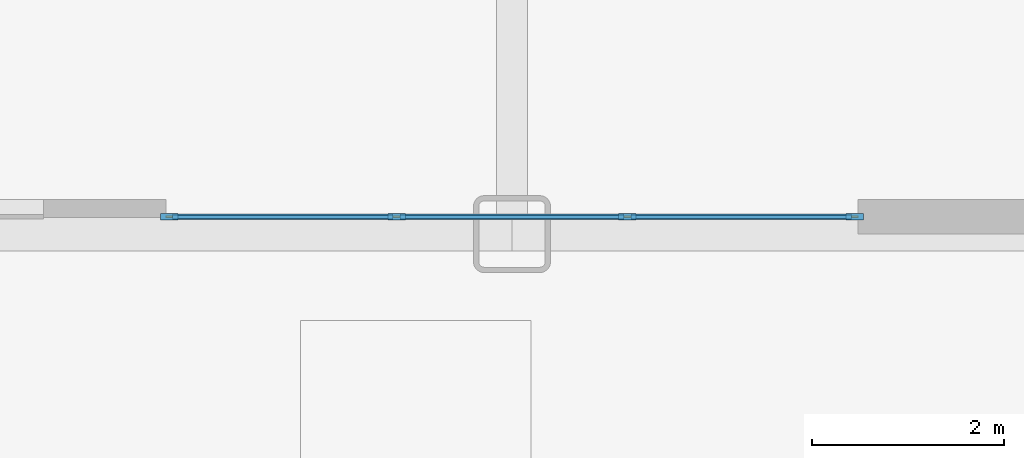
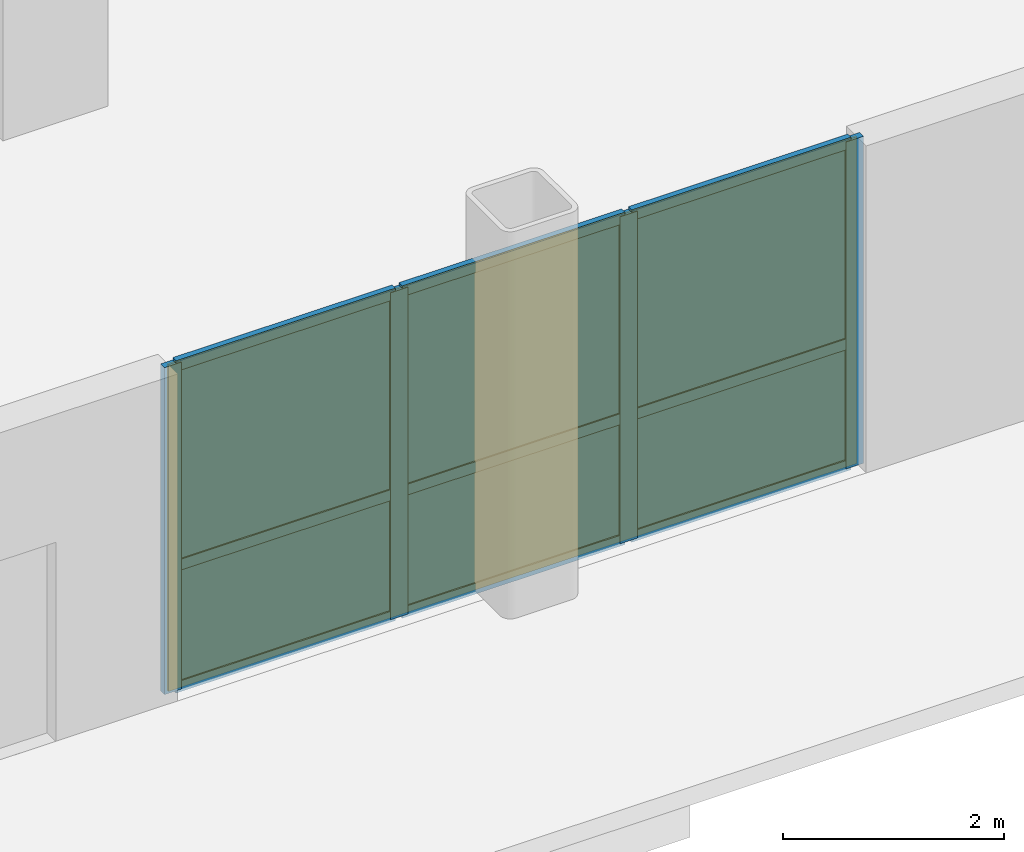
# One storey, part 13 of 20: 13 members, 6 plates, 1 curtain wall.
"""IFC4 building model written with IfcOpenShell, lengths in metres."""

from ifc_helpers import new_model, si_unit, direction, frame, frame_2d, origin, origin_2d, place, context, subcontext, project, spatial, rectangle, extrude, source, transform, mapped, material, layer, layer_set, material_profile, profile_set, type_object, type_shapes, element, aggregate, save


model = new_model("IFC4")

# Units and contexts
model_context = context("Model", 3, precision=1e-05, world=origin(), true_north=direction((0.0, 1.0)))
body_context = subcontext(model_context, "Body", "Model", "MODEL_VIEW")
ifc_project = project(units=[si_unit("LENGTHUNIT", "METRE"), si_unit("AREAUNIT", "SQUARE_METRE"), si_unit("VOLUMEUNIT", "CUBIC_METRE"), si_unit("PLANEANGLEUNIT", "RADIAN"), si_unit("MASSUNIT", "GRAM", prefix="KILO")], contexts=[model_context])

# Member
ifc_material_1 = material(Name="Anodised aluminium 6063-T6", Category="aluminium")
ifc_material_profile_1 = material_profile(ifc_material_1, rectangle(XDim=0.070068359375, YDim=0.179931640625, at=origin_2d()), Name="ALU-MULL-70x180")
ifc_profile_set_1 = profile_set([ifc_material_profile_1], Name="Anodised aluminium 6063-T6")
member_type_1 = type_object("IfcMemberType", Name="CWM-1", PredefinedType="MULLION", material=ifc_profile_set_1)
site_placement = place(None, origin())
building_placement = place(site_placement, origin())
storey_placement = place(building_placement, origin())
member_1_placement = place(storey_placement, frame((-22.56494140625, -25.820068359375, 0.0), z_axis=(0.0, 0.0, 1.0), x_axis=(0.0, 1.0, 0.0)))
member_1 = element("IfcMember", 1, at=member_1_placement, type_object=member_type_1, Name="CWS-1 mullion 1", PredefinedType="MULLION", context=body_context, shape_type="SweptSolid", body=[
    extrude(rectangle(XDim=0.070068359375, YDim=0.179931640625, at=origin_2d()), origin(), (0.0, 0.0, 1.0), 3.614990234375),
])

member_2_placement = place(storey_placement, frame((-20.199951171875, -25.820068359375, 0.0), z_axis=(0.0, 0.0, 1.0), x_axis=(0.0, 1.0, 0.0)))
member_2 = element("IfcMember", 2, at=member_2_placement, type_object=member_type_1, Name="CWS-1 mullion 2", PredefinedType="MULLION", context=body_context, shape_type="SweptSolid", body=[
    extrude(rectangle(XDim=0.070068359375, YDim=0.179931640625, at=origin_2d()), origin(), (0.0, 0.0, 1.0), 3.614990234375),
])

member_3_placement = place(storey_placement, frame((-17.800048828125, -25.820068359375, 0.0), z_axis=(0.0, 0.0, 1.0), x_axis=(0.0, 1.0, 0.0)))
member_3 = element("IfcMember", 3, at=member_3_placement, type_object=member_type_1, Name="CWS-1 mullion 3", PredefinedType="MULLION", context=body_context, shape_type="SweptSolid", body=[
    extrude(rectangle(XDim=0.070068359375, YDim=0.179931640625, at=origin_2d()), origin(), (0.0, 0.0, 1.0), 3.614990234375),
])

member_4_placement = place(storey_placement, frame((-15.43505859375, -25.820068359375, 0.0), z_axis=(0.0, 0.0, 1.0), x_axis=(0.0, 1.0, 0.0)))
member_4 = element("IfcMember", 4, at=member_4_placement, type_object=member_type_1, Name="CWS-1 mullion 4", PredefinedType="MULLION", context=body_context, shape_type="SweptSolid", body=[
    extrude(rectangle(XDim=0.070068359375, YDim=0.179931640625, at=origin_2d()), origin(), (0.0, 0.0, 1.0), 3.614990234375),
])

ifc_material_profile_2 = material_profile(ifc_material_1, rectangle(XDim=0.06005859375, YDim=0.1201171875, at=origin_2d()), Name="ALU-TRAN-60x120")
ifc_profile_set_2 = profile_set([ifc_material_profile_2], Name="Anodised aluminium 6063-T6")
member_type_2 = type_object("IfcMemberType", Name="CWT-1", PredefinedType="USERDEFINED", material=ifc_profile_set_2)
member_5_placement = place(storey_placement, frame((-22.530029296875, -25.820068359375, 0.030029296875), z_axis=(1.0, 0.0, 0.0), x_axis=(0.0, 1.0, 0.0)))
member_5 = element("IfcMember", 5, at=member_5_placement, type_object=member_type_2, Name="CWS-1 transom 1.1", ObjectType="TRANSOM", PredefinedType="USERDEFINED", context=body_context, shape_type="SweptSolid", body=[
    extrude(rectangle(XDim=0.06005859375, YDim=0.1201171875, at=origin_2d()), origin(), (0.0, 0.0, 1.0), 2.294921875),
])

member_6_placement = place(storey_placement, frame((-22.530029296875, -25.820068359375, 1.373779296875), z_axis=(1.0, 0.0, 0.0), x_axis=(0.0, 1.0, 0.0)))
member_6 = element("IfcMember", 6, at=member_6_placement, type_object=member_type_2, Name="CWS-1 transom 1.2", ObjectType="TRANSOM", PredefinedType="USERDEFINED", context=body_context, shape_type="SweptSolid", body=[
    extrude(rectangle(XDim=0.06005859375, YDim=0.1201171875, at=origin_2d()), origin(), (0.0, 0.0, 1.0), 2.294921875),
])

member_7_placement = place(storey_placement, frame((-22.530029296875, -25.820068359375, 3.5849609375), z_axis=(1.0, 0.0, 0.0), x_axis=(0.0, 1.0, 0.0)))
member_7 = element("IfcMember", 7, at=member_7_placement, type_object=member_type_2, Name="CWS-1 transom 1.3", ObjectType="TRANSOM", PredefinedType="USERDEFINED", context=body_context, shape_type="SweptSolid", body=[
    extrude(rectangle(XDim=0.06005859375, YDim=0.1201171875, at=origin_2d()), origin(), (0.0, 0.0, 1.0), 2.294921875),
])

member_8_placement = place(storey_placement, frame((-20.1650390625, -25.820068359375, 0.030029296875), z_axis=(1.0, 0.0, 0.0), x_axis=(0.0, 1.0, 0.0)))
member_8 = element("IfcMember", 8, at=member_8_placement, type_object=member_type_2, Name="CWS-1 transom 2.1", ObjectType="TRANSOM", PredefinedType="USERDEFINED", context=body_context, shape_type="SweptSolid", body=[
    extrude(rectangle(XDim=0.06005859375, YDim=0.1201171875, at=origin_2d()), origin(), (0.0, 0.0, 1.0), 2.330078125),
])

member_9_placement = place(storey_placement, frame((-20.1650390625, -25.820068359375, 1.373779296875), z_axis=(1.0, 0.0, 0.0), x_axis=(0.0, 1.0, 0.0)))
member_9 = element("IfcMember", 9, at=member_9_placement, type_object=member_type_2, Name="CWS-1 transom 2.2", ObjectType="TRANSOM", PredefinedType="USERDEFINED", context=body_context, shape_type="SweptSolid", body=[
    extrude(rectangle(XDim=0.06005859375, YDim=0.1201171875, at=origin_2d()), origin(), (0.0, 0.0, 1.0), 2.330078125),
])

member_10_placement = place(storey_placement, frame((-20.1650390625, -25.820068359375, 3.5849609375), z_axis=(1.0, 0.0, 0.0), x_axis=(0.0, 1.0, 0.0)))
member_10 = element("IfcMember", 10, at=member_10_placement, type_object=member_type_2, Name="CWS-1 transom 2.3", ObjectType="TRANSOM", PredefinedType="USERDEFINED", context=body_context, shape_type="SweptSolid", body=[
    extrude(rectangle(XDim=0.06005859375, YDim=0.1201171875, at=origin_2d()), origin(), (0.0, 0.0, 1.0), 2.330078125),
])

member_11_placement = place(storey_placement, frame((-17.764892578125, -25.820068359375, 0.030029296875), z_axis=(1.0, 0.0, 0.0), x_axis=(0.0, 1.0, 0.0)))
member_11 = element("IfcMember", 11, at=member_11_placement, type_object=member_type_2, Name="CWS-1 transom 3.1", ObjectType="TRANSOM", PredefinedType="USERDEFINED", context=body_context, shape_type="SweptSolid", body=[
    extrude(rectangle(XDim=0.06005859375, YDim=0.1201171875, at=origin_2d()), origin(), (0.0, 0.0, 1.0), 2.294921875),
])

member_12_placement = place(storey_placement, frame((-17.764892578125, -25.820068359375, 1.373779296875), z_axis=(1.0, 0.0, 0.0), x_axis=(0.0, 1.0, 0.0)))
member_12 = element("IfcMember", 12, at=member_12_placement, type_object=member_type_2, Name="CWS-1 transom 3.2", ObjectType="TRANSOM", PredefinedType="USERDEFINED", context=body_context, shape_type="SweptSolid", body=[
    extrude(rectangle(XDim=0.06005859375, YDim=0.1201171875, at=origin_2d()), origin(), (0.0, 0.0, 1.0), 2.294921875),
])

member_13_placement = place(storey_placement, frame((-17.764892578125, -25.820068359375, 3.5849609375), z_axis=(1.0, 0.0, 0.0), x_axis=(0.0, 1.0, 0.0)))
member_13 = element("IfcMember", 13, at=member_13_placement, type_object=member_type_2, Name="CWS-1 transom 3.3", ObjectType="TRANSOM", PredefinedType="USERDEFINED", context=body_context, shape_type="SweptSolid", body=[
    extrude(rectangle(XDim=0.06005859375, YDim=0.1201171875, at=origin_2d()), origin(), (0.0, 0.0, 1.0), 2.294921875),
])

# Plate
ifc_material_2 = material(Name="Insulated solar-control glass", Category="glass")
ifc_layer_1 = layer(ifc_material_2, 0.031982421875, Name="CWP-1")
ifc_layer_set_1 = layer_set([ifc_layer_1], Name="Insulated solar-control glass")
plate_type = type_object("IfcPlateType", Name="CWP-1", PredefinedType="CURTAIN_PANEL", material=ifc_layer_set_1)
shared_shape_1 = source(origin(), body_context, "Body", "SweptSolid", [
    extrude(rectangle(XDim=2.294921875, YDim=0.031982421875, at=origin_2d()), origin(), (0.0, 0.0, 1.0), 1.28369140625),
])
plate_1_placement = place(storey_placement, frame((-21.382568359375, -25.820068359375, 0.06005859375), z_axis=(0.0, 0.0, 1.0), x_axis=(1.0, 0.0, 0.0)))
plate_1 = element("IfcPlate", 14, at=plate_1_placement, type_object=plate_type, Name="CWS-1 panel 1.1", PredefinedType="CURTAIN_PANEL", context=body_context, shape_type="MappedRepresentation", body=[
    mapped(shared_shape_1, transform((0.0, 0.0, 0.0), scale=1.0)),
])

plate_2_placement = place(storey_placement, frame((-16.617431640625, -25.820068359375, 0.06005859375), z_axis=(0.0, 0.0, 1.0), x_axis=(1.0, 0.0, 0.0)))
plate_2 = element("IfcPlate", 15, at=plate_2_placement, type_object=plate_type, Name="CWS-1 panel 3.1", PredefinedType="CURTAIN_PANEL", context=body_context, shape_type="MappedRepresentation", body=[
    mapped(shared_shape_1, transform((0.0, 0.0, 0.0), scale=1.0)),
])

shared_shape_2 = source(origin(), body_context, "Body", "SweptSolid", [
    extrude(rectangle(XDim=2.294921875, YDim=0.031982421875, at=origin_2d()), origin(), (0.0, 0.0, 1.0), 2.1513671875),
])
plate_3_placement = place(storey_placement, frame((-21.382568359375, -25.820068359375, 1.403564453125), z_axis=(0.0, 0.0, 1.0), x_axis=(1.0, 0.0, 0.0)))
plate_3 = element("IfcPlate", 16, at=plate_3_placement, type_object=plate_type, Name="CWS-1 panel 1.2", PredefinedType="CURTAIN_PANEL", context=body_context, shape_type="MappedRepresentation", body=[
    mapped(shared_shape_2, transform((0.0, 0.0, 0.0), scale=1.0)),
])

plate_4_placement = place(storey_placement, frame((-16.617431640625, -25.820068359375, 1.403564453125), z_axis=(0.0, 0.0, 1.0), x_axis=(1.0, 0.0, 0.0)))
plate_4 = element("IfcPlate", 17, at=plate_4_placement, type_object=plate_type, Name="CWS-1 panel 3.2", PredefinedType="CURTAIN_PANEL", context=body_context, shape_type="MappedRepresentation", body=[
    mapped(shared_shape_2, transform((0.0, 0.0, 0.0), scale=1.0)),
])

shared_shape_3 = source(origin(), body_context, "Body", "SweptSolid", [
    extrude(rectangle(XDim=2.330078125, YDim=0.031982421875, at=origin_2d()), origin(), (0.0, 0.0, 1.0), 1.28369140625),
])
plate_5_placement = place(storey_placement, frame((-19.0, -25.820068359375, 0.06005859375), z_axis=(0.0, 0.0, 1.0), x_axis=(1.0, 0.0, 0.0)))
plate_5 = element("IfcPlate", 18, at=plate_5_placement, type_object=plate_type, Name="CWS-1 panel 2.1", PredefinedType="CURTAIN_PANEL", context=body_context, shape_type="MappedRepresentation", body=[
    mapped(shared_shape_3, transform((0.0, 0.0, 0.0), scale=1.0)),
])

shared_shape_4 = source(origin(), body_context, "Body", "SweptSolid", [
    extrude(rectangle(XDim=2.330078125, YDim=0.031982421875, at=origin_2d()), origin(), (0.0, 0.0, 1.0), 2.1513671875),
])
type_shapes(plate_type, [shared_shape_1, shared_shape_2, shared_shape_3, shared_shape_4])
plate_6_placement = place(storey_placement, frame((-19.0, -25.820068359375, 1.403564453125), z_axis=(0.0, 0.0, 1.0), x_axis=(1.0, 0.0, 0.0)))
plate_6 = element("IfcPlate", 19, at=plate_6_placement, type_object=plate_type, Name="CWS-1 panel 2.2", PredefinedType="CURTAIN_PANEL", context=body_context, shape_type="MappedRepresentation", body=[
    mapped(shared_shape_4, transform((0.0, 0.0, 0.0), scale=1.0)),
])

# Site, building, storey
site = spatial("IfcSite", under=ifc_project, at=site_placement, CompositionType="ELEMENT")
building = spatial("IfcBuilding", under=site, at=building_placement, Name="Nuvemarco Arch Tower", CompositionType="ELEMENT")
storey = spatial("IfcBuildingStorey", under=building, at=storey_placement, Name="L00", CompositionType="ELEMENT", Elevation=0.0)

# Curtain wall
ifc_layer_2 = layer(ifc_material_2, 0.179931640625, Name="CW-SYS-1")
ifc_layer_set_2 = layer_set([ifc_layer_2], Name="Insulated solar-control glass")
curtain_wall_type = type_object("IfcCurtainWallType", Name="CW-SYS-1", PredefinedType="NOTDEFINED", material=ifc_layer_set_2)
curtain_wall_placement = place(storey_placement, frame((-22.60009765625, -25.820068359375, 0.0), z_axis=(0.0, 0.0, 1.0), x_axis=(1.0, 0.0, 0.0)))
curtain_wall = element("IfcCurtainWall", 20, at=curtain_wall_placement, inside=storey, type_object=curtain_wall_type, Name="L00 curtain wall CWS-1", PredefinedType="NOTDEFINED", context=body_context, shape_type="SweptSolid", body=[
    extrude(rectangle(XDim=7.2001953125, YDim=0.02001953125, at=frame_2d((3.60009765625, 0.0))), origin(), (0.0, 0.0, 1.0), 3.614990234375),
])

aggregate(curtain_wall, [member_1, member_2, member_3, member_4, member_5, member_6, member_7, plate_1, plate_3, member_8, member_9, member_10, plate_5, plate_6, member_11, member_12, member_13, plate_2, plate_4])

save(model, "model.ifc")
